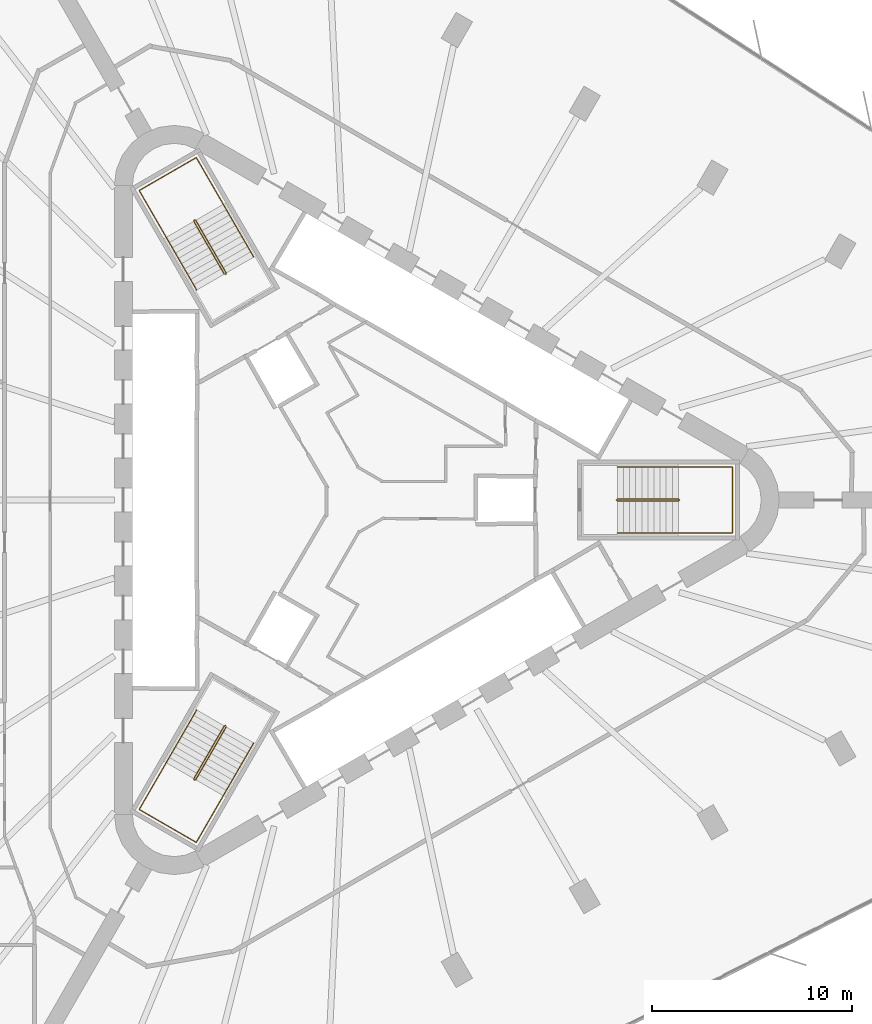
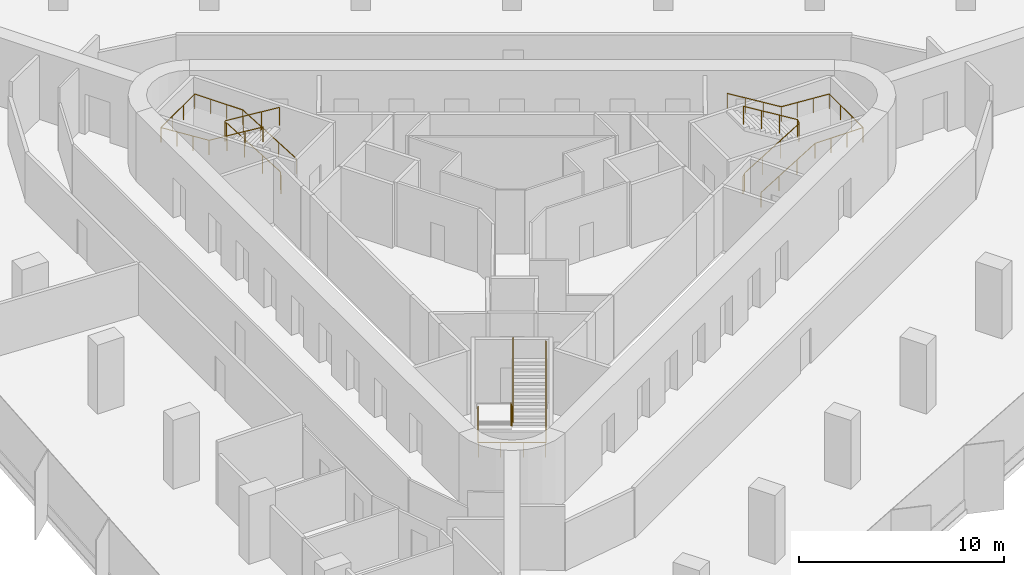
# One storey, part 14 of 14: 6 railings.
"""IFC4 building model written with IfcOpenShell, lengths in metres."""

from ifc_helpers import new_model, si_unit, direction, frame, origin, origin_2d, place, context, subcontext, project, spatial, circle, extrude, material, type_object, element, save


model = new_model("IFC4")

# Units and contexts
model_context = context("Model", 3, precision=1e-05, world=origin(), true_north=direction((0.0, 1.0)))
body_context = subcontext(model_context, "Body", "Model", "MODEL_VIEW")
ifc_project = project(units=[si_unit("LENGTHUNIT", "METRE"), si_unit("AREAUNIT", "SQUARE_METRE"), si_unit("VOLUMEUNIT", "CUBIC_METRE"), si_unit("PLANEANGLEUNIT", "RADIAN"), si_unit("MASSUNIT", "GRAM", prefix="KILO")], contexts=[model_context])

# Site, building, storey
site_placement = place(None, origin())
site = spatial("IfcSite", under=ifc_project, at=site_placement, CompositionType="ELEMENT")
building_placement = place(site_placement, origin())
building = spatial("IfcBuilding", under=site, at=building_placement, Name="Tanit Gate Tower", CompositionType="ELEMENT")
storey_placement = place(building_placement, frame((0.0, 0.0, 115.199951171875)))
storey = spatial("IfcBuildingStorey", under=building, at=storey_placement, Name="L24", CompositionType="ELEMENT", Elevation=115.199951171875)

# Railings
ifc_material_1 = material(Name="Stainless steel balustrade", Category="steel")
railing_type_1 = type_object("IfcRailingType", Name="INT-STAIR-GUARD", PredefinedType="GUARDRAIL", material=ifc_material_1)
railing_1_placement = place(storey_placement, frame((13.044921875, 0.0048828125, 0.0)))
element("IfcRailing", 1, at=railing_1_placement, inside=storey, type_object=railing_type_1, Name="L24 S1 stair guard 1", PredefinedType="GUARDRAIL", context=body_context, shape_type="SweptSolid", body=[
    extrude(circle(Radius=0.02392578125, at=origin_2d()), frame((0.0, 0.0, 1.076171875), z_axis=(0.0, -1.0, 0.0), x_axis=(1.0, 0.0, 0.0)), (0.0, 0.0, 1.0), 0.009765625),
    extrude(circle(Radius=0.02392578125, at=origin_2d()), frame((0.0, -0.009765625, 1.076171875), z_axis=(0.250869701741, -0.250869701741, 0.934948546978), x_axis=(0.707106781187, 0.707106781187, 0.0)), (0.0, 0.0, 1.0), 0.199462890625),
    extrude(circle(Radius=0.02392578125, at=origin_2d()), frame((0.050048828125, -0.059814453125, 1.2626953125), z_axis=(0.853405036568, 0.0, 0.521248351134), x_axis=(0.0, 1.0, 0.0)), (0.0, 0.0, 1.0), 3.5751953125),
    extrude(circle(Radius=0.02392578125, at=origin_2d()), frame((3.10107421875, -0.059814453125, 3.1259765625), z_axis=(0.707106781187, 0.707106781187, 0.0), x_axis=(-0.707106781187, 0.707106781187, 0.0)), (0.0, 0.0, 1.0), 0.07080078125),
    extrude(circle(Radius=0.02392578125, at=origin_2d()), frame((3.151123046875, -0.009765625, 3.1259765625), z_axis=(0.0, 1.0, 0.0), x_axis=(-1.0, 0.0, 0.0)), (0.0, 0.0, 1.0), 0.009765625),
    extrude(circle(Radius=0.02392578125, at=origin_2d()), frame((3.151123046875, 0.0, 3.1259765625), z_axis=(-0.251157038772, 0.251157038772, 0.934794246747), x_axis=(-0.707106781187, -0.707106781187, 0.0)), (0.0, 0.0, 1.0), 0.19921875),
    extrude(circle(Radius=0.02392578125, at=origin_2d()), frame((3.10107421875, 0.050048828125, 3.3125), z_axis=(-0.853374658889, 0.0, 0.521298083217), x_axis=(0.0, -1.0, 0.0)), (0.0, 0.0, 1.0), 3.5751953125),
    extrude(circle(Radius=0.02099609375, at=origin_2d()), origin(), (0.0, 0.0, 1.0), 1.052001953125),
    extrude(circle(Radius=0.02099609375, at=origin_2d()), frame((0.0, -0.009765625, 0.0)), (0.0, 0.0, 1.0), 1.052001953125),
    extrude(circle(Radius=0.02099609375, at=origin_2d()), frame((0.050048828125, -0.059814453125, 0.1865234375)), (0.0, 0.0, 1.0), 1.052001953125),
    extrude(circle(Radius=0.02099609375, at=origin_2d()), frame((1.067138671875, -0.059814453125, 0.8076171875)), (0.0, 0.0, 1.0), 1.052001953125),
    extrude(circle(Radius=0.02099609375, at=origin_2d()), frame((2.083984375, -0.059814453125, 1.428955078125)), (0.0, 0.0, 1.0), 1.052001953125),
    extrude(circle(Radius=0.02099609375, at=origin_2d()), frame((3.10107421875, -0.059814453125, 2.050048828125)), (0.0, 0.0, 1.0), 1.052001953125),
    extrude(circle(Radius=0.02099609375, at=origin_2d()), frame((3.151123046875, -0.009765625, 2.050048828125)), (0.0, 0.0, 1.0), 1.052001953125),
    extrude(circle(Radius=0.02099609375, at=origin_2d()), frame((3.151123046875, 0.0, 2.050048828125)), (0.0, 0.0, 1.0), 1.052001953125),
    extrude(circle(Radius=0.02099609375, at=origin_2d()), frame((3.10107421875, 0.050048828125, 2.236328125)), (0.0, 0.0, 1.0), 1.052001953125),
    extrude(circle(Radius=0.02099609375, at=origin_2d()), frame((2.083984375, 0.050048828125, 2.857666015625)), (0.0, 0.0, 1.0), 1.052001953125),
    extrude(circle(Radius=0.02099609375, at=origin_2d()), frame((1.067138671875, 0.050048828125, 3.478759765625)), (0.0, 0.0, 1.0), 1.052001953125),
    extrude(circle(Radius=0.02099609375, at=origin_2d()), frame((0.050048828125, 0.050048828125, 4.10009765625)), (0.0, 0.0, 1.0), 1.052001953125),
])
railing_2_placement = place(storey_placement, frame((-6.527099609375, 11.29345703125, 0.0)))
element("IfcRailing", 2, at=railing_2_placement, inside=storey, type_object=railing_type_1, Name="L24 S2 stair guard 1", PredefinedType="GUARDRAIL", context=body_context, shape_type="SweptSolid", body=[
    extrude(circle(Radius=0.02392578125, at=origin_2d()), frame((0.0, 0.0, 1.076171875), z_axis=(0.868243142124, 0.496138938357, 0.0), x_axis=(-0.496138938357, 0.868243142124, 0.0)), (0.0, 0.0, 1.0), 0.01171875),
    extrude(circle(Radius=0.02392578125, at=origin_2d()), frame((0.01025390625, 0.005859375, 1.076171875), z_axis=(0.09178331637, 0.342657714447, 0.934966049419), x_axis=(-0.965948051503, 0.258736085224, 0.0)), (0.0, 0.0, 1.0), 0.199462890625),
    extrude(circle(Radius=0.02392578125, at=origin_2d()), frame((0.028564453125, 0.07421875, 1.2626953125), z_axis=(-0.426651696395, 0.73893750972, 0.521478366466), x_axis=(-0.866012246495, -0.500022788402, 0.0)), (0.0, 0.0, 1.0), 3.573486328125),
    extrude(circle(Radius=0.02392578125, at=origin_2d()), frame((-1.49609375, 2.71484375, 3.1259765625), z_axis=(-0.965715946433, 0.259601060869, 0.0), x_axis=(-0.259601060869, -0.965715946433, 0.0)), (0.0, 0.0, 1.0), 0.070556640625),
    extrude(circle(Radius=0.02392578125, at=origin_2d()), frame((-1.564208984375, 2.733154296875, 3.1259765625), z_axis=(-0.873197702015, -0.487366159264, 0.0), x_axis=(0.487366159264, -0.873197702015, 0.0)), (0.0, 0.0, 1.0), 0.011962890625),
    extrude(circle(Radius=0.02392578125, at=origin_2d()), frame((-1.57470703125, 2.727294921875, 3.1259765625), z_axis=(-0.091888445584, -0.343050196848, 0.93481178641), x_axis=(0.965948051503, -0.258736085224, 0.0)), (0.0, 0.0, 1.0), 0.19921875),
    extrude(circle(Radius=0.02392578125, at=origin_2d()), frame((-1.593017578125, 2.658935546875, 3.3125), z_axis=(0.426636495959, -0.738911183393, 0.521528104107), x_axis=(0.866012246495, 0.500022788402, 0.0)), (0.0, 0.0, 1.0), 3.57373046875),
    extrude(circle(Radius=0.02099609375, at=origin_2d()), origin(), (0.0, 0.0, 1.0), 1.052001953125),
    extrude(circle(Radius=0.02099609375, at=origin_2d()), frame((0.01025390625, 0.005859375, 0.0)), (0.0, 0.0, 1.0), 1.052001953125),
    extrude(circle(Radius=0.02099609375, at=origin_2d()), frame((0.028564453125, 0.07421875, 0.1865234375)), (0.0, 0.0, 1.0), 1.052001953125),
    extrude(circle(Radius=0.02099609375, at=origin_2d()), frame((-0.479736328125, 0.954345703125, 0.8076171875)), (0.0, 0.0, 1.0), 1.052001953125),
    extrude(circle(Radius=0.02099609375, at=origin_2d()), frame((-0.98779296875, 1.834716796875, 1.428955078125)), (0.0, 0.0, 1.0), 1.052001953125),
    extrude(circle(Radius=0.02099609375, at=origin_2d()), frame((-1.49609375, 2.71484375, 2.050048828125)), (0.0, 0.0, 1.0), 1.052001953125),
    extrude(circle(Radius=0.02099609375, at=origin_2d()), frame((-1.564208984375, 2.733154296875, 2.050048828125)), (0.0, 0.0, 1.0), 1.052001953125),
    extrude(circle(Radius=0.02099609375, at=origin_2d()), frame((-1.57470703125, 2.727294921875, 2.050048828125)), (0.0, 0.0, 1.0), 1.052001953125),
    extrude(circle(Radius=0.02099609375, at=origin_2d()), frame((-1.593017578125, 2.658935546875, 2.236328125)), (0.0, 0.0, 1.0), 1.052001953125),
    extrude(circle(Radius=0.02099609375, at=origin_2d()), frame((-1.084716796875, 1.77880859375, 2.857666015625)), (0.0, 0.0, 1.0), 1.052001953125),
    extrude(circle(Radius=0.02099609375, at=origin_2d()), frame((-0.57666015625, 0.8984375, 3.478759765625)), (0.0, 0.0, 1.0), 1.052001953125),
    extrude(circle(Radius=0.02099609375, at=origin_2d()), frame((-0.068359375, 0.018310546875, 4.10009765625)), (0.0, 0.0, 1.0), 1.052001953125),
])
railing_3_placement = place(storey_placement, frame((-6.51806640625, -11.2998046875, 0.0)))
element("IfcRailing", 3, at=railing_3_placement, inside=storey, type_object=railing_type_1, Name="L24 S3 stair guard 1", PredefinedType="GUARDRAIL", context=body_context, shape_type="SweptSolid", body=[
    extrude(circle(Radius=0.02392578125, at=origin_2d()), frame((0.0, 0.0, 1.076171875), z_axis=(-0.874157276122, 0.485642931179, 0.0), x_axis=(-0.485642931179, -0.874157276122, 0.0)), (0.0, 0.0, 1.0), 0.010009765625),
    extrude(circle(Radius=0.02392578125, at=origin_2d()), frame((-0.0087890625, 0.0048828125, 1.076171875), z_axis=(-0.342695952383, -0.090569644558, 0.935070384359), x_axis=(0.255512919477, -0.966805641264, 0.0)), (0.0, 0.0, 1.0), 0.199462890625),
    extrude(circle(Radius=0.02392578125, at=origin_2d()), frame((-0.0771484375, -0.01318359375, 1.2626953125), z_axis=(-0.426668548982, -0.73908990167, 0.521248565042), x_axis=(0.866048339477, -0.499960272111, 0.0)), (0.0, 0.0, 1.0), 3.5751953125),
    extrude(circle(Radius=0.02392578125, at=origin_2d()), frame((-1.6025390625, -2.655517578125, 3.1259765625), z_axis=(0.258736085224, -0.965948051503, 0.0), x_axis=(0.965948051503, 0.258736085224, 0.0)), (0.0, 0.0, 1.0), 0.07080078125),
    extrude(circle(Radius=0.02392578125, at=origin_2d()), frame((-1.584228515625, -2.723876953125, 3.1259765625), z_axis=(0.868243142124, -0.496138938357, 0.0), x_axis=(0.496138938357, 0.868243142124, 0.0)), (0.0, 0.0, 1.0), 0.009765625),
    extrude(circle(Radius=0.02392578125, at=origin_2d()), frame((-1.57568359375, -2.728759765625, 3.1259765625), z_axis=(0.343050196848, 0.091888445584, 0.93481178641), x_axis=(-0.258736085224, 0.965948051503, 0.0)), (0.0, 0.0, 1.0), 0.19921875),
    extrude(circle(Radius=0.02392578125, at=origin_2d()), frame((-1.50732421875, -2.71044921875, 3.3125), z_axis=(0.42673074944, 0.739011069041, 0.521309416102), x_axis=(-0.865993683553, 0.500054937028, 0.0)), (0.0, 0.0, 1.0), 3.5751953125),
    extrude(circle(Radius=0.02099609375, at=origin_2d()), origin(), (0.0, 0.0, 1.0), 1.052001953125),
    extrude(circle(Radius=0.02099609375, at=origin_2d()), frame((-0.0087890625, 0.0048828125, 0.0)), (0.0, 0.0, 1.0), 1.052001953125),
    extrude(circle(Radius=0.02099609375, at=origin_2d()), frame((-0.0771484375, -0.01318359375, 0.1865234375)), (0.0, 0.0, 1.0), 1.052001953125),
    extrude(circle(Radius=0.02099609375, at=origin_2d()), frame((-0.585693359375, -0.89404296875, 0.8076171875)), (0.0, 0.0, 1.0), 1.052001953125),
    extrude(circle(Radius=0.02099609375, at=origin_2d()), frame((-1.093994140625, -1.774658203125, 1.428955078125)), (0.0, 0.0, 1.0), 1.052001953125),
    extrude(circle(Radius=0.02099609375, at=origin_2d()), frame((-1.6025390625, -2.655517578125, 2.050048828125)), (0.0, 0.0, 1.0), 1.052001953125),
    extrude(circle(Radius=0.02099609375, at=origin_2d()), frame((-1.584228515625, -2.723876953125, 2.050048828125)), (0.0, 0.0, 1.0), 1.052001953125),
    extrude(circle(Radius=0.02099609375, at=origin_2d()), frame((-1.57568359375, -2.728759765625, 2.050048828125)), (0.0, 0.0, 1.0), 1.052001953125),
    extrude(circle(Radius=0.02099609375, at=origin_2d()), frame((-1.50732421875, -2.71044921875, 2.236328125)), (0.0, 0.0, 1.0), 1.052001953125),
    extrude(circle(Radius=0.02099609375, at=origin_2d()), frame((-0.998779296875, -1.829833984375, 2.857666015625)), (0.0, 0.0, 1.0), 1.052001953125),
    extrude(circle(Radius=0.02099609375, at=origin_2d()), frame((-0.490234375, -0.948974609375, 3.478759765625)), (0.0, 0.0, 1.0), 1.052001953125),
    extrude(circle(Radius=0.02099609375, at=origin_2d()), frame((0.018310546875, -0.068359375, 4.10009765625)), (0.0, 0.0, 1.0), 1.052001953125),
])
ifc_material_2 = material(Name="Stainless steel handrail", Category="steel")
railing_type_2 = type_object("IfcRailingType", Name="INT-STAIR-HANDRAIL", PredefinedType="HANDRAIL", material=ifc_material_2)
railing_4_placement = place(storey_placement, frame((13.094970703125, -1.64990234375, 0.1865234375)))
element("IfcRailing", 4, at=railing_4_placement, inside=storey, type_object=railing_type_2, Name="L24 S1 stair handrail 1", PredefinedType="HANDRAIL", context=body_context, shape_type="SweptSolid", body=[
    extrude(circle(Radius=0.02392578125, at=origin_2d()), frame((0.0, 0.0, 0.8759765625), z_axis=(0.853405036568, 0.0, 0.521248351134), x_axis=(0.0, 1.0, 0.0)), (0.0, 0.0, 1.0), 3.5751953125),
    extrude(circle(Radius=0.02392578125, at=origin_2d()), frame((3.051025390625, 0.0, 2.7392578125), z_axis=(1.0, 0.0, 0.0), x_axis=(0.0, 1.0, 0.0)), (0.0, 0.0, 1.0), 2.7041015625),
    extrude(circle(Radius=0.02392578125, at=origin_2d()), frame((5.755126953125, 0.0, 2.7392578125), z_axis=(0.0, 1.0, 0.0), x_axis=(-1.0, 0.0, 0.0)), (0.0, 0.0, 1.0), 3.2998046875),
    extrude(circle(Radius=0.02392578125, at=origin_2d()), frame((5.755126953125, 3.2998046875, 2.7392578125), z_axis=(-0.997635655124, 0.0, 0.06872481084), x_axis=(0.0, -1.0, 0.0)), (0.0, 0.0, 1.0), 2.71044921875),
    extrude(circle(Radius=0.02392578125, at=origin_2d()), frame((3.051025390625, 3.2998046875, 2.92578125), z_axis=(-0.853374658889, 0.0, 0.521298083217), x_axis=(0.0, -1.0, 0.0)), (0.0, 0.0, 1.0), 3.5751953125),
    extrude(circle(Radius=0.02099609375, at=origin_2d()), origin(), (0.0, 0.0, 1.0), 0.851806640625),
    extrude(circle(Radius=0.02099609375, at=origin_2d()), frame((1.01708984375, 0.0, 0.62109375)), (0.0, 0.0, 1.0), 0.851806640625),
    extrude(circle(Radius=0.02099609375, at=origin_2d()), frame((2.033935546875, 0.0, 1.242431640625)), (0.0, 0.0, 1.0), 0.851806640625),
    extrude(circle(Radius=0.02099609375, at=origin_2d()), frame((3.051025390625, 0.0, 1.863525390625)), (0.0, 0.0, 1.0), 0.851806640625),
    extrude(circle(Radius=0.02099609375, at=origin_2d()), frame((3.952392578125, 0.0, 1.863525390625)), (0.0, 0.0, 1.0), 0.851806640625),
    extrude(circle(Radius=0.02099609375, at=origin_2d()), frame((4.853759765625, 0.0, 1.863525390625)), (0.0, 0.0, 1.0), 0.851806640625),
    extrude(circle(Radius=0.02099609375, at=origin_2d()), frame((5.755126953125, 0.0, 1.863525390625)), (0.0, 0.0, 1.0), 0.851806640625),
    extrude(circle(Radius=0.02099609375, at=origin_2d()), frame((5.755126953125, 1.099853515625, 1.863525390625)), (0.0, 0.0, 1.0), 0.851806640625),
    extrude(circle(Radius=0.02099609375, at=origin_2d()), frame((5.755126953125, 2.199951171875, 1.863525390625)), (0.0, 0.0, 1.0), 0.851806640625),
    extrude(circle(Radius=0.02099609375, at=origin_2d()), frame((5.755126953125, 3.2998046875, 1.863525390625)), (0.0, 0.0, 1.0), 0.851806640625),
    extrude(circle(Radius=0.02099609375, at=origin_2d()), frame((4.853759765625, 3.2998046875, 1.925537109375)), (0.0, 0.0, 1.0), 0.851806640625),
    extrude(circle(Radius=0.02099609375, at=origin_2d()), frame((3.952392578125, 3.2998046875, 1.98779296875)), (0.0, 0.0, 1.0), 0.851806640625),
    extrude(circle(Radius=0.02099609375, at=origin_2d()), frame((3.051025390625, 3.2998046875, 2.0498046875)), (0.0, 0.0, 1.0), 0.851806640625),
    extrude(circle(Radius=0.02099609375, at=origin_2d()), frame((2.033935546875, 3.2998046875, 2.671142578125)), (0.0, 0.0, 1.0), 0.851806640625),
    extrude(circle(Radius=0.02099609375, at=origin_2d()), frame((1.01708984375, 3.2998046875, 3.292236328125)), (0.0, 0.0, 1.0), 0.851806640625),
    extrude(circle(Radius=0.02099609375, at=origin_2d()), frame((0.0, 3.2998046875, 3.91357421875)), (0.0, 0.0, 1.0), 0.851806640625),
])
railing_5_placement = place(storey_placement, frame((-5.1181640625, 12.164794921875, 0.1865234375)))
element("IfcRailing", 5, at=railing_5_placement, inside=storey, type_object=railing_type_2, Name="L24 S2 stair handrail 1", PredefinedType="HANDRAIL", context=body_context, shape_type="SweptSolid", body=[
    extrude(circle(Radius=0.02392578125, at=origin_2d()), frame((0.0, 0.0, 0.8759765625), z_axis=(-0.426595811233, 0.738959047773, 0.521493566166), x_axis=(-0.866046917185, -0.499962735845, 0.0)), (0.0, 0.0, 1.0), 3.573486328125),
    extrude(circle(Radius=0.02392578125, at=origin_2d()), frame((-1.5244140625, 2.640625, 2.7392578125), z_axis=(-0.500019123664, 0.86601436245, 0.0), x_axis=(-0.86601436245, -0.500019123664, 0.0)), (0.0, 0.0, 1.0), 2.70703125),
    extrude(circle(Radius=0.02392578125, at=origin_2d()), frame((-2.8779296875, 4.98486328125, 2.7392578125), z_axis=(-0.866008176907, -0.50002983664, 0.0), x_axis=(0.50002983664, -0.866008176907, 0.0)), (0.0, 0.0, 1.0), 3.300048828125),
    extrude(circle(Radius=0.02392578125, at=origin_2d()), frame((-5.73583984375, 3.334716796875, 2.7392578125), z_axis=(0.498878146149, -0.863948246966, 0.06865873476), x_axis=(0.865991810323, 0.500058181068, 0.0)), (0.0, 0.0, 1.0), 2.713134765625),
    extrude(circle(Radius=0.02392578125, at=origin_2d()), frame((-4.38232421875, 0.99072265625, 2.92578125), z_axis=(0.42661496006, -0.738942197433, 0.521501778238), x_axis=(0.866032263162, 0.499988119021, 0.0)), (0.0, 0.0, 1.0), 3.57373046875),
    extrude(circle(Radius=0.02099609375, at=origin_2d()), origin(), (0.0, 0.0, 1.0), 0.851806640625),
    extrude(circle(Radius=0.02099609375, at=origin_2d()), frame((-0.508056640625, 0.880126953125, 0.62109375)), (0.0, 0.0, 1.0), 0.851806640625),
    extrude(circle(Radius=0.02099609375, at=origin_2d()), frame((-1.016357421875, 1.760498046875, 1.242431640625)), (0.0, 0.0, 1.0), 0.851806640625),
    extrude(circle(Radius=0.02099609375, at=origin_2d()), frame((-1.5244140625, 2.640625, 1.863525390625)), (0.0, 0.0, 1.0), 0.851806640625),
    extrude(circle(Radius=0.02099609375, at=origin_2d()), frame((-1.9755859375, 3.422119140625, 1.863525390625)), (0.0, 0.0, 1.0), 0.851806640625),
    extrude(circle(Radius=0.02099609375, at=origin_2d()), frame((-2.4267578125, 4.203369140625, 1.863525390625)), (0.0, 0.0, 1.0), 0.851806640625),
    extrude(circle(Radius=0.02099609375, at=origin_2d()), frame((-2.8779296875, 4.98486328125, 1.863525390625)), (0.0, 0.0, 1.0), 0.851806640625),
    extrude(circle(Radius=0.02099609375, at=origin_2d()), frame((-3.83056640625, 4.434814453125, 1.863525390625)), (0.0, 0.0, 1.0), 0.851806640625),
    extrude(circle(Radius=0.02099609375, at=origin_2d()), frame((-4.783203125, 3.884765625, 1.863525390625)), (0.0, 0.0, 1.0), 0.851806640625),
    extrude(circle(Radius=0.02099609375, at=origin_2d()), frame((-5.73583984375, 3.334716796875, 1.863525390625)), (0.0, 0.0, 1.0), 0.851806640625),
    extrude(circle(Radius=0.02099609375, at=origin_2d()), frame((-5.28466796875, 2.553466796875, 1.925537109375)), (0.0, 0.0, 1.0), 0.851806640625),
    extrude(circle(Radius=0.02099609375, at=origin_2d()), frame((-4.83349609375, 1.77197265625, 1.98779296875)), (0.0, 0.0, 1.0), 0.851806640625),
    extrude(circle(Radius=0.02099609375, at=origin_2d()), frame((-4.38232421875, 0.99072265625, 2.0498046875)), (0.0, 0.0, 1.0), 0.851806640625),
    extrude(circle(Radius=0.02099609375, at=origin_2d()), frame((-3.8740234375, 0.1103515625, 2.671142578125)), (0.0, 0.0, 1.0), 0.851806640625),
    extrude(circle(Radius=0.02099609375, at=origin_2d()), frame((-3.365966796875, -0.769775390625, 3.292236328125)), (0.0, 0.0, 1.0), 0.851806640625),
    extrude(circle(Radius=0.02099609375, at=origin_2d()), frame((-2.857666015625, -1.650146484375, 3.91357421875)), (0.0, 0.0, 1.0), 0.851806640625),
])
railing_6_placement = place(storey_placement, frame((-7.9765625, -10.515625, 0.1865234375)))
element("IfcRailing", 6, at=railing_6_placement, inside=storey, type_object=railing_type_2, Name="L24 S3 stair handrail 1", PredefinedType="HANDRAIL", context=body_context, shape_type="SweptSolid", body=[
    extrude(circle(Radius=0.02392578125, at=origin_2d()), frame((0.0, 0.0, 0.8759765625), z_axis=(-0.426668548982, -0.73908990167, 0.521248565042), x_axis=(0.866048339477, -0.499960272111, 0.0)), (0.0, 0.0, 1.0), 3.5751953125),
    extrude(circle(Radius=0.02392578125, at=origin_2d()), frame((-1.525390625, -2.642333984375, 2.7392578125), z_axis=(-0.50004290449, -0.866000631449, 0.0), x_axis=(0.866000631449, -0.50004290449, 0.0)), (0.0, 0.0, 1.0), 2.703857421875),
    extrude(circle(Radius=0.02392578125, at=origin_2d()), frame((-2.87744140625, -4.98388671875, 2.7392578125), z_axis=(0.866008176907, -0.50002983664, 0.0), x_axis=(0.50002983664, 0.866008176907, 0.0)), (0.0, 0.0, 1.0), 3.300048828125),
    extrude(circle(Radius=0.02392578125, at=origin_2d()), frame((-0.01953125, -6.634033203125, 2.7392578125), z_axis=(0.498821607388, 0.86397559734, 0.068725331607), x_axis=(-0.866023205937, 0.500003806764, 0.0)), (0.0, 0.0, 1.0), 2.71044921875),
    extrude(circle(Radius=0.02392578125, at=origin_2d()), frame((1.33251953125, -4.292236328125, 2.92578125), z_axis=(0.42665336134, 0.739063593114, 0.52129829713), x_axis=(-0.866048339477, 0.499960272111, 0.0)), (0.0, 0.0, 1.0), 3.5751953125),
    extrude(circle(Radius=0.02099609375, at=origin_2d()), origin(), (0.0, 0.0, 1.0), 0.851806640625),
    extrude(circle(Radius=0.02099609375, at=origin_2d()), frame((-0.508544921875, -0.880859375, 0.62109375)), (0.0, 0.0, 1.0), 0.851806640625),
    extrude(circle(Radius=0.02099609375, at=origin_2d()), frame((-1.016845703125, -1.761474609375, 1.242431640625)), (0.0, 0.0, 1.0), 0.851806640625),
    extrude(circle(Radius=0.02099609375, at=origin_2d()), frame((-1.525390625, -2.642333984375, 1.863525390625)), (0.0, 0.0, 1.0), 0.851806640625),
    extrude(circle(Radius=0.02099609375, at=origin_2d()), frame((-1.97607421875, -3.4228515625, 1.863525390625)), (0.0, 0.0, 1.0), 0.851806640625),
    extrude(circle(Radius=0.02099609375, at=origin_2d()), frame((-2.4267578125, -4.203369140625, 1.863525390625)), (0.0, 0.0, 1.0), 0.851806640625),
    extrude(circle(Radius=0.02099609375, at=origin_2d()), frame((-2.87744140625, -4.98388671875, 1.863525390625)), (0.0, 0.0, 1.0), 0.851806640625),
    extrude(circle(Radius=0.02099609375, at=origin_2d()), frame((-1.9248046875, -5.533935546875, 1.863525390625)), (0.0, 0.0, 1.0), 0.851806640625),
    extrude(circle(Radius=0.02099609375, at=origin_2d()), frame((-0.97216796875, -6.083984375, 1.863525390625)), (0.0, 0.0, 1.0), 0.851806640625),
    extrude(circle(Radius=0.02099609375, at=origin_2d()), frame((-0.01953125, -6.634033203125, 1.863525390625)), (0.0, 0.0, 1.0), 0.851806640625),
    extrude(circle(Radius=0.02099609375, at=origin_2d()), frame((0.43115234375, -5.853515625, 1.925537109375)), (0.0, 0.0, 1.0), 0.851806640625),
    extrude(circle(Radius=0.02099609375, at=origin_2d()), frame((0.8818359375, -5.07275390625, 1.98779296875)), (0.0, 0.0, 1.0), 0.851806640625),
    extrude(circle(Radius=0.02099609375, at=origin_2d()), frame((1.33251953125, -4.292236328125, 2.0498046875)), (0.0, 0.0, 1.0), 0.851806640625),
    extrude(circle(Radius=0.02099609375, at=origin_2d()), frame((1.841064453125, -3.411376953125, 2.671142578125)), (0.0, 0.0, 1.0), 0.851806640625),
    extrude(circle(Radius=0.02099609375, at=origin_2d()), frame((2.349365234375, -2.53076171875, 3.292236328125)), (0.0, 0.0, 1.0), 0.851806640625),
    extrude(circle(Radius=0.02099609375, at=origin_2d()), frame((2.85791015625, -1.64990234375, 3.91357421875)), (0.0, 0.0, 1.0), 0.851806640625),
])

save(model, "model.ifc")
